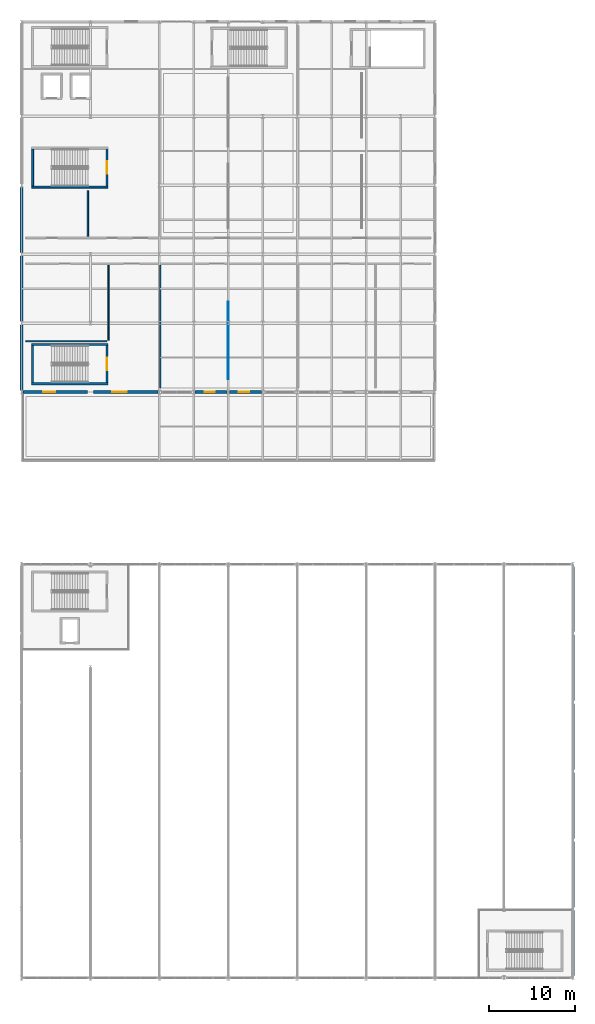
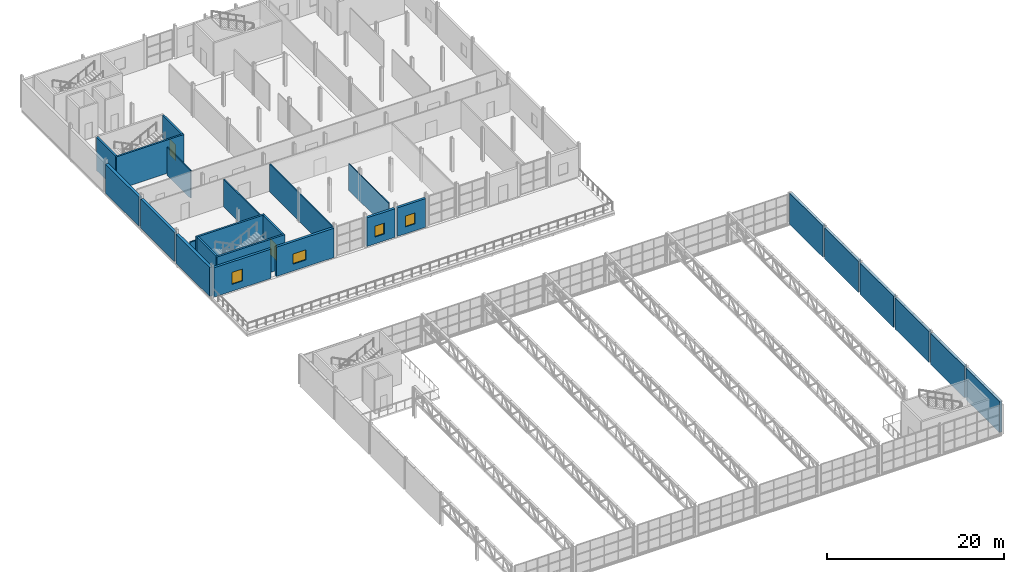
# One storey, part 59 of 67: 25 walls, 4 windows, 2 doors, 6 openings.
"""IFC4 building model written with IfcOpenShell, lengths in metres."""

from ifc_helpers import new_model, si_unit, derived_unit, direction, frame, frame_2d, origin, place, context, subcontext, project, spatial, rectangle, extrude, material, layer, layer_set, type_object, element, fill, save


model = new_model("IFC4")

# Units and contexts
model_context = context("Model", 3, precision=1e-05, world=origin(), true_north=direction((0.0, 1.0)))
body_context = subcontext(model_context, "Body", "Model", "MODEL_VIEW")
ifc_project = project(units=[si_unit("LENGTHUNIT", "METRE"), si_unit("AREAUNIT", "SQUARE_METRE"), si_unit("VOLUMEUNIT", "CUBIC_METRE"), si_unit("PLANEANGLEUNIT", "RADIAN"), si_unit("MASSUNIT", "GRAM", prefix="KILO"), derived_unit("THERMALTRANSMITTANCEUNIT", [(si_unit("POWERUNIT", "WATT"), 1), (si_unit("LENGTHUNIT", "METRE"), -2), (si_unit("THERMODYNAMICTEMPERATUREUNIT", "KELVIN"), -1)])], contexts=[model_context])

# Site, building, storey
site_placement = place(None, origin())
site = spatial("IfcSite", under=ifc_project, at=site_placement, CompositionType="ELEMENT")
building_placement = place(site_placement, origin())
building = spatial("IfcBuilding", under=site, at=building_placement, Name="Keldorne Ridge Multi-Sports Centre", CompositionType="ELEMENT")
storey_placement = place(building_placement, frame((0.0, 0.0, 14.0)))
storey = spatial("IfcBuildingStorey", under=building, at=storey_placement, Name="L03", CompositionType="ELEMENT", Elevation=14.0)

# Wall
ifc_material_1 = material(Name="Acoustic operable panel partition")
ifc_layer_1 = layer(ifc_material_1, 0.110107421875)
ifc_layer_set_1 = layer_set([ifc_layer_1])
wall_type_1 = type_object("IfcWallType", Name="WAL-MV-01", PredefinedType="MOVABLE", material=ifc_layer_set_1)
wall_1_placement = place(storey_placement, frame((128.0, 75.5, 0.0), z_axis=(0.0, 0.0, 1.0), x_axis=(0.0, 1.0, 0.0)))
element("IfcWall", 1, at=wall_1_placement, inside=storey, type_object=wall_type_1, Name="Acoustic operable studio partition MV-05", PredefinedType="MOVABLE", context=body_context, shape_type="SweptSolid", body=[
    extrude(rectangle(XDim=9.0, YDim=0.110107421875, at=frame_2d((4.5, 0.0))), origin(), (0.0, 0.0, 1.0), 3.699951171875),
])

# Wall, opening, window
ifc_material_2 = material(Name="Precast concrete C40/50", Category="concrete")
ifc_layer_2 = layer(ifc_material_2, 0.320068359375)
ifc_layer_set_2 = layer_set([ifc_layer_2], Name="Precast concrete C40/50")
wall_type_2 = type_object("IfcWallType", Name="WAL-PR-W1", PredefinedType="STANDARD", material=ifc_layer_set_2)
wall_2_placement = place(storey_placement, frame((104.152099609375, 74.0, 0.0), z_axis=(0.0, 0.0, 1.0), x_axis=(1.0, 0.0, 0.0)))
wall_2 = element("IfcWall", 2, at=wall_2_placement, inside=storey, type_object=wall_type_2, Name="East Wing L03 south facade 1", PredefinedType="STANDARD", context=body_context, shape_type="SweptSolid", body=[
    extrude(rectangle(XDim=7.5078125, YDim=0.320068359375, at=frame_2d((3.75390625, 0.0))), origin(), (0.0, 0.0, 1.0), 4.050048828125),
])
opening_1_placement = place(wall_2_placement, frame((2.387939453125, 0.0, 0.949951171875)))
opening_1 = element("IfcOpeningElement", 3, at=opening_1_placement, cuts=wall_2, Name="Opening W-09", PredefinedType="OPENING", context=body_context, shape_type="SweptSolid", body=[
    extrude(rectangle(XDim=1.35009765625, YDim=1.64990234375, at=frame_2d((0.675048828125, 0.824951171875))), frame((0.0, 0.169921875, 0.0), z_axis=(0.0, -1.0, 0.0), x_axis=(1.0, 0.0, 0.0)), (0.0, 0.0, 1.0), 0.340087890625),
])
ifc_material_3 = material(Name="Anodized aluminium", Category="aluminium")
window_type_1 = type_object("IfcWindowType", Name="WIN-W-09", PartitioningType="SINGLE_PANEL", PredefinedType="WINDOW", material=ifc_material_3)
window_1_placement = place(opening_1_placement, origin())
window_1 = element("IfcWindow", 4, at=window_1_placement, inside=storey, type_object=window_type_1, Name="East Wing L03 south window W-090", OverallHeight=1.64990234375, OverallWidth=1.35009765625, PartitioningType="SINGLE_PANEL", PredefinedType="WINDOW", context=body_context, shape_type="SweptSolid", body=[
    extrude(rectangle(XDim=1.35009765625, YDim=1.64990234375, at=frame_2d((0.675048828125, 0.824951171875))), frame((0.0, 0.030029296875, 0.0), z_axis=(0.0, -1.0, 0.0), x_axis=(1.0, 0.0, 0.0)), (0.0, 0.0, 1.0), 0.06005859375),
])
fill(opening_1, window_1)

wall_3_placement = place(storey_placement, frame((112.340087890625, 74.0, 0.0), z_axis=(0.0, 0.0, 1.0), x_axis=(1.0, 0.0, 0.0)))
wall_3 = element("IfcWall", 5, at=wall_3_placement, inside=storey, type_object=wall_type_2, Name="East Wing L03 south facade 2", PredefinedType="STANDARD", context=body_context, shape_type="SweptSolid", body=[
    extrude(rectangle(XDim=7.5078125, YDim=0.320068359375, at=frame_2d((3.75390625, 0.0))), origin(), (0.0, 0.0, 1.0), 4.050048828125),
])
opening_2_placement = place(wall_3_placement, frame((2.199951171875, 0.0, 0.949951171875)))
opening_2 = element("IfcOpeningElement", 6, at=opening_2_placement, cuts=wall_3, Name="Opening W-10", PredefinedType="OPENING", context=body_context, shape_type="SweptSolid", body=[
    extrude(rectangle(XDim=1.64990234375, YDim=1.39990234375, at=frame_2d((0.824951171875, 0.699951171875))), frame((0.0, 0.169921875, 0.0), z_axis=(0.0, -1.0, 0.0), x_axis=(1.0, 0.0, 0.0)), (0.0, 0.0, 1.0), 0.340087890625),
])
window_type_2 = type_object("IfcWindowType", Name="WIN-W-10", PartitioningType="SINGLE_PANEL", PredefinedType="WINDOW", material=ifc_material_3)
window_2_placement = place(opening_2_placement, origin())
window_2 = element("IfcWindow", 7, at=window_2_placement, inside=storey, type_object=window_type_2, Name="East Wing L03 south window W-091", OverallHeight=1.39990234375, OverallWidth=1.64990234375, PartitioningType="SINGLE_PANEL", PredefinedType="WINDOW", context=body_context, shape_type="SweptSolid", body=[
    extrude(rectangle(XDim=1.64990234375, YDim=1.39990234375, at=frame_2d((0.824951171875, 0.699951171875))), frame((0.0, 0.030029296875, 0.0), z_axis=(0.0, -1.0, 0.0), x_axis=(1.0, 0.0, 0.0)), (0.0, 0.0, 1.0), 0.06005859375),
])
fill(opening_2, window_2)

wall_4_placement = place(storey_placement, frame((124.152099609375, 74.0, 0.0), z_axis=(0.0, 0.0, 1.0), x_axis=(1.0, 0.0, 0.0)))
wall_4 = element("IfcWall", 8, at=wall_4_placement, inside=storey, type_object=wall_type_2, Name="East Wing L03 south facade 4", PredefinedType="STANDARD", context=body_context, shape_type="SweptSolid", body=[
    extrude(rectangle(XDim=3.69580078125, YDim=0.320068359375, at=frame_2d((1.847900390625, 0.0))), origin(), (0.0, 0.0, 1.0), 3.955078125),
])
opening_3_placement = place(wall_4_placement, frame((1.087890625, 0.0, 0.949951171875)))
opening_3 = element("IfcOpeningElement", 9, at=opening_3_placement, cuts=wall_4, Name="Opening W-03", PredefinedType="OPENING", context=body_context, shape_type="SweptSolid", body=[
    extrude(rectangle(XDim=1.199951171875, YDim=1.5, at=frame_2d((0.60009765625, 0.75))), frame((0.0, 0.169921875, 0.0), z_axis=(0.0, -1.0, 0.0), x_axis=(1.0, 0.0, 0.0)), (0.0, 0.0, 1.0), 0.340087890625),
])
window_type_3 = type_object("IfcWindowType", Name="WIN-W-03", PartitioningType="SINGLE_PANEL", PredefinedType="WINDOW", material=ifc_material_3)
window_3_placement = place(opening_3_placement, origin())
window_3 = element("IfcWindow", 10, at=window_3_placement, inside=storey, type_object=window_type_3, Name="East Wing L03 south window W-092", OverallHeight=1.5, OverallWidth=1.199951171875, PartitioningType="SINGLE_PANEL", PredefinedType="WINDOW", context=body_context, shape_type="SweptSolid", body=[
    extrude(rectangle(XDim=1.199951171875, YDim=1.5, at=frame_2d((0.60009765625, 0.75))), frame((0.0, 0.030029296875, 0.0), z_axis=(0.0, -1.0, 0.0), x_axis=(1.0, 0.0, 0.0)), (0.0, 0.0, 1.0), 0.06005859375),
])
fill(opening_3, window_3)

wall_5_placement = place(storey_placement, frame((128.152099609375, 74.0, 0.0), z_axis=(0.0, 0.0, 1.0), x_axis=(1.0, 0.0, 0.0)))
wall_5 = element("IfcWall", 11, at=wall_5_placement, inside=storey, type_object=wall_type_2, Name="East Wing L03 south facade 5", PredefinedType="STANDARD", context=body_context, shape_type="SweptSolid", body=[
    extrude(rectangle(XDim=3.69580078125, YDim=0.320068359375, at=frame_2d((1.847900390625, 0.0))), origin(), (0.0, 0.0, 1.0), 3.955078125),
])
opening_4_placement = place(wall_5_placement, frame((1.087890625, 0.0, 0.949951171875)))
opening_4 = element("IfcOpeningElement", 12, at=opening_4_placement, cuts=wall_5, Name="Opening W-03", PredefinedType="OPENING", context=body_context, shape_type="SweptSolid", body=[
    extrude(rectangle(XDim=1.199951171875, YDim=1.5, at=frame_2d((0.60009765625, 0.75))), frame((0.0, 0.169921875, 0.0), z_axis=(0.0, -1.0, 0.0), x_axis=(1.0, 0.0, 0.0)), (0.0, 0.0, 1.0), 0.340087890625),
])
window_4_placement = place(opening_4_placement, origin())
window_4 = element("IfcWindow", 13, at=window_4_placement, inside=storey, type_object=window_type_3, Name="East Wing L03 south window W-093", OverallHeight=1.5, OverallWidth=1.199951171875, PartitioningType="SINGLE_PANEL", PredefinedType="WINDOW", context=body_context, shape_type="SweptSolid", body=[
    extrude(rectangle(XDim=1.199951171875, YDim=1.5, at=frame_2d((0.60009765625, 0.75))), frame((0.0, 0.030029296875, 0.0), z_axis=(0.0, -1.0, 0.0), x_axis=(1.0, 0.0, 0.0)), (0.0, 0.0, 1.0), 0.06005859375),
])
fill(opening_4, window_4)

# Walls
ifc_layer_3 = layer(ifc_material_2, 0.360107421875)
ifc_layer_set_3 = layer_set([ifc_layer_3], Name="Precast concrete C40/50")
wall_type_3 = type_object("IfcWallType", Name="WAL-PR-W2", PredefinedType="STANDARD", material=ifc_layer_set_3)
wall_6_placement = place(storey_placement, frame((168.0, 6.251953125, 0.0), z_axis=(0.0, 0.0, 1.0), x_axis=(0.0, 1.0, 0.0)))
element("IfcWall", 14, at=wall_6_placement, inside=storey, type_object=wall_type_3, Name="Stacked Courts east acoustic wall L03.1", PredefinedType="STANDARD", context=body_context, shape_type="SweptSolid", body=[
    extrude(rectangle(XDim=7.571044921875, YDim=0.360107421875, at=frame_2d((3.78564453125, 0.0))), origin(), (0.0, 0.0, 1.0), 4.300048828125),
])
for number, where, z_axis, x_axis, name in (
    (15, (168.0, 14.177001953125, 0.0), (0.0, 0.0, 1.0), (0.0, 1.0, 0.0), "Stacked Courts east acoustic wall L03.2"),
    (16, (168.0, 22.177001953125, 0.0), (0.0, 0.0, 1.0), (0.0, 1.0, 0.0), "Stacked Courts east acoustic wall L03.3"),
    (17, (168.0, 30.177001953125, 0.0), (0.0, 0.0, 1.0), (0.0, 1.0, 0.0), "Stacked Courts east acoustic wall L03.4"),
    (18, (168.0, 38.177001953125, 0.0), (0.0, 0.0, 1.0), (0.0, 1.0, 0.0), "Stacked Courts east acoustic wall L03.5"),
):
    element("IfcWall", number, at=place(storey_placement, frame(where, z_axis=z_axis, x_axis=x_axis)), inside=storey, type_object=wall_type_3, Name=name, PredefinedType="STANDARD", context=body_context, shape_type="SweptSolid", body=[
        extrude(rectangle(XDim=7.64599609375, YDim=0.360107421875, at=frame_2d((3.822998046875, 0.0))), origin(), (0.0, 0.0, 1.0), 4.300048828125),
    ])
wall_7_placement = place(storey_placement, frame((168.0, 46.177001953125, 0.0), z_axis=(0.0, 0.0, 1.0), x_axis=(0.0, 1.0, 0.0)))
element("IfcWall", 19, at=wall_7_placement, inside=storey, type_object=wall_type_3, Name="Stacked Courts east acoustic wall L03.6", PredefinedType="STANDARD", context=body_context, shape_type="SweptSolid", body=[
    extrude(rectangle(XDim=7.571044921875, YDim=0.360107421875, at=frame_2d((3.78564453125, 0.0))), origin(), (0.0, 0.0, 1.0), 4.300048828125),
])
for number, where, z_axis, x_axis, name in (
    (20, (104.0, 81.802978515625, 0.0), (0.0, 0.0, 1.0), (0.0, -1.0, 0.0), "East Wing movement-joint wall L03.1"),
    (21, (104.0, 89.802978515625, 0.0), (0.0, 0.0, 1.0), (0.0, -1.0, 0.0), "East Wing movement-joint wall L03.2"),
    (22, (104.0, 97.802978515625, 0.0), (0.0, 0.0, 1.0), (0.0, -1.0, 0.0), "East Wing movement-joint wall L03.3"),
):
    element("IfcWall", number, at=place(storey_placement, frame(where, z_axis=z_axis, x_axis=x_axis)), inside=storey, type_object=wall_type_3, Name=name, PredefinedType="STANDARD", context=body_context, shape_type="SweptSolid", body=[
        extrude(rectangle(XDim=7.60595703125, YDim=0.360107421875, at=frame_2d((3.802978515625, 0.0))), origin(), (0.0, 0.0, 1.0), 4.0048828125),
    ])
ifc_material_4 = material(Name="Fire-rated twin stud plasterboard")
ifc_layer_4 = layer(ifc_material_4, 0.14990234375)
ifc_layer_set_4 = layer_set([ifc_layer_4])
wall_type_4 = type_object("IfcWallType", Name="WAL-PT-02", PredefinedType="PARTITIONING", material=ifc_layer_set_4)
wall_8_placement = place(storey_placement, frame((104.5, 79.89990234375, 0.0), z_axis=(0.0, 0.0, 1.0), x_axis=(1.0, 0.0, 0.0)))
element("IfcWall", 23, at=wall_8_placement, inside=storey, type_object=wall_type_4, Name="Studio changing south wall IW-L03-065", PredefinedType="PARTITIONING", context=body_context, shape_type="SweptSolid", body=[
    extrude(rectangle(XDim=9.39990234375, YDim=0.14990234375, at=frame_2d((4.699951171875, 0.0))), origin(), (0.0, 0.0, 1.0), 3.85009765625),
])
wall_9_placement = place(storey_placement, frame((114.10009765625, 80.0, 0.0), z_axis=(0.0, 0.0, 1.0), x_axis=(0.0, 1.0, 0.0)))
element("IfcWall", 24, at=wall_9_placement, inside=storey, type_object=wall_type_4, Name="Third floor studio divider IW-L03-066", PredefinedType="PARTITIONING", context=body_context, shape_type="SweptSolid", body=[
    extrude(rectangle(XDim=8.699951171875, YDim=0.14990234375, at=frame_2d((4.35009765625, 0.0))), origin(), (0.0, 0.0, 1.0), 3.85009765625),
])
wall_10_placement = place(storey_placement, frame((120.10009765625, 74.5, 0.0), z_axis=(0.0, 0.0, 1.0), x_axis=(0.0, 1.0, 0.0)))
element("IfcWall", 25, at=wall_10_placement, inside=storey, type_object=wall_type_4, Name="Third floor studio divider IW-L03-067", PredefinedType="PARTITIONING", context=body_context, shape_type="SweptSolid", body=[
    extrude(rectangle(XDim=14.199951171875, YDim=0.14990234375, at=frame_2d((7.10009765625, 0.0))), origin(), (0.0, 0.0, 1.0), 3.85009765625),
])
wall_11_placement = place(storey_placement, frame((111.699951171875, 92.10009765625, 0.0), z_axis=(0.0, 0.0, 1.0), x_axis=(0.0, 1.0, 0.0)))
element("IfcWall", 26, at=wall_11_placement, inside=storey, type_object=wall_type_4, Name="Third floor studio divider IW-L03-070", PredefinedType="PARTITIONING", context=body_context, shape_type="SweptSolid", body=[
    extrude(rectangle(XDim=5.2998046875, YDim=0.14990234375, at=frame_2d((2.64990234375, 0.0))), origin(), (0.0, 0.0, 1.0), 3.85009765625),
])

# Wall, opening, door
ifc_material_5 = material(Name="Concrete C40/50", Category="concrete")
ifc_layer_5 = layer(ifc_material_5, 0.25)
ifc_layer_set_5 = layer_set([ifc_layer_5], Name="Concrete C40/50")
wall_type_5 = type_object("IfcWallType", Name="WAL-SW01", PredefinedType="SHEAR", material=ifc_layer_set_5)
wall_12_placement = place(storey_placement, frame((113.925048828125, 75.10009765625, 0.0), z_axis=(0.0, 0.0, 1.0), x_axis=(0.0, 1.0, 0.0)))
wall_12 = element("IfcWall", 27, at=wall_12_placement, inside=storey, type_object=wall_type_5, Name="Stair ST-02 shaft wall L03 NEAR", PredefinedType="SHEAR", context=body_context, shape_type="SweptSolid", body=[
    extrude(rectangle(XDim=4.2998046875, YDim=0.25, at=frame_2d((2.14990234375, 0.0))), origin(), (0.0, 0.0, 1.0), 4.60009765625),
])
opening_5_placement = place(wall_12_placement, frame((1.425048828125, 0.0, 0.0)))
opening_5 = element("IfcOpeningElement", 28, at=opening_5_placement, cuts=wall_12, Name="Opening D-05", PredefinedType="OPENING", context=body_context, shape_type="SweptSolid", body=[
    extrude(rectangle(XDim=1.449951171875, YDim=2.199951171875, at=frame_2d((0.72509765625, 1.10009765625))), frame((0.0, 0.135009765625, 0.0), z_axis=(0.0, -1.0, 0.0), x_axis=(1.0, 0.0, 0.0)), (0.0, 0.0, 1.0), 0.27001953125),
])
ifc_material_6 = material(Name="Steel fire-resisting pair", Category="steel")
door_type = type_object("IfcDoorType", Name="DR-D-05", OperationType="NOTDEFINED", PredefinedType="DOOR", material=ifc_material_6)
door_1_placement = place(opening_5_placement, origin())
door_1 = element("IfcDoor", 29, at=door_1_placement, inside=storey, type_object=door_type, Name="Stair ST-02 L03 fire door D-012", OperationType="DOUBLE_DOOR_SINGLE_SWING", OverallHeight=2.199951171875, OverallWidth=1.449951171875, PredefinedType="DOOR", context=body_context, shape_type="SweptSolid", body=[
    extrude(rectangle(XDim=1.449951171875, YDim=2.199951171875, at=frame_2d((0.72509765625, 1.10009765625))), frame((0.0, 0.02490234375, 0.0), z_axis=(0.0, -1.0, 0.0), x_axis=(1.0, 0.0, 0.0)), (0.0, 0.0, 1.0), 0.050048828125),
])
fill(opening_5, door_1)

# Walls
wall_13_placement = place(storey_placement, frame((105.27490234375, 79.39990234375, 0.0), z_axis=(0.0, 0.0, 1.0), x_axis=(0.0, -1.0, 0.0)))
element("IfcWall", 30, at=wall_13_placement, inside=storey, type_object=wall_type_5, Name="Stair ST-02 shaft wall L03 FAR", PredefinedType="SHEAR", context=body_context, shape_type="SweptSolid", body=[
    extrude(rectangle(XDim=4.2998046875, YDim=0.25, at=frame_2d((2.14990234375, 0.0))), origin(), (0.0, 0.0, 1.0), 4.60009765625),
])
for number, where, z_axis, x_axis, name in (
    (31, (105.14990234375, 74.97509765625, 0.0), (0.0, 0.0, 1.0), (1.0, 0.0, 0.0), "Stair ST-02 shaft wall L03 SOUTH"),
    (32, (114.050048828125, 79.52490234375, 0.0), (0.0, 0.0, 1.0), (-1.0, 0.0, 0.0), "Stair ST-02 shaft wall L03 NORTH"),
):
    element("IfcWall", number, at=place(storey_placement, frame(where, z_axis=z_axis, x_axis=x_axis)), inside=storey, type_object=wall_type_5, Name=name, PredefinedType="SHEAR", context=body_context, shape_type="SweptSolid", body=[
        extrude(rectangle(XDim=8.900146484375, YDim=0.25, at=frame_2d((4.4501953125, 0.0))), origin(), (0.0, 0.0, 1.0), 4.60009765625),
    ])

# Wall, opening, door
ifc_layer_6 = layer(ifc_material_5, 0.22998046875)
ifc_layer_set_6 = layer_set([ifc_layer_6], Name="Concrete C40/50")
wall_type_6 = type_object("IfcWallType", Name="WAL-SW02", PredefinedType="SHEAR", material=ifc_layer_set_6)
wall_14_placement = place(storey_placement, frame((113.9150390625, 97.89990234375, 0.0), z_axis=(0.0, 0.0, 1.0), x_axis=(0.0, 1.0, 0.0)))
wall_14 = element("IfcWall", 33, at=wall_14_placement, inside=storey, type_object=wall_type_6, Name="Stair ST-11 shaft wall L03 NEAR", PredefinedType="SHEAR", context=body_context, shape_type="SweptSolid", body=[
    extrude(rectangle(XDim=4.300048828125, YDim=0.22998046875, at=frame_2d((2.14990234375, 0.0))), origin(), (0.0, 0.0, 1.0), 4.60009765625),
])
opening_6_placement = place(wall_14_placement, frame((1.425048828125, 0.0, 0.0)))
opening_6 = element("IfcOpeningElement", 34, at=opening_6_placement, cuts=wall_14, Name="Opening D-05", PredefinedType="OPENING", context=body_context, shape_type="SweptSolid", body=[
    extrude(rectangle(XDim=1.449951171875, YDim=2.199951171875, at=frame_2d((0.72509765625, 1.10009765625))), frame((0.0, 0.125, 0.0), z_axis=(0.0, -1.0, 0.0), x_axis=(1.0, 0.0, 0.0)), (0.0, 0.0, 1.0), 0.25),
])
door_2_placement = place(opening_6_placement, origin())
door_2 = element("IfcDoor", 35, at=door_2_placement, inside=storey, type_object=door_type, Name="Stair ST-11 L03 fire door D-049", OperationType="DOUBLE_DOOR_SINGLE_SWING", OverallHeight=2.199951171875, OverallWidth=1.449951171875, PredefinedType="DOOR", context=body_context, shape_type="SweptSolid", body=[
    extrude(rectangle(XDim=1.449951171875, YDim=2.199951171875, at=frame_2d((0.72509765625, 1.10009765625))), frame((0.0, 0.02490234375, 0.0), z_axis=(0.0, -1.0, 0.0), x_axis=(1.0, 0.0, 0.0)), (0.0, 0.0, 1.0), 0.050048828125),
])
fill(opening_6, door_2)

# Walls
wall_15_placement = place(storey_placement, frame((105.284912109375, 102.199951171875, 0.0), z_axis=(0.0, 0.0, 1.0), x_axis=(0.0, -1.0, 0.0)))
element("IfcWall", 36, at=wall_15_placement, inside=storey, type_object=wall_type_6, Name="Stair ST-11 shaft wall L03 FAR", PredefinedType="SHEAR", context=body_context, shape_type="SweptSolid", body=[
    extrude(rectangle(XDim=4.300048828125, YDim=0.22998046875, at=frame_2d((2.14990234375, 0.0))), origin(), (0.0, 0.0, 1.0), 4.60009765625),
])
wall_16_placement = place(storey_placement, frame((105.169921875, 97.784912109375, 0.0), z_axis=(0.0, 0.0, 1.0), x_axis=(1.0, 0.0, 0.0)))
element("IfcWall", 37, at=wall_16_placement, inside=storey, type_object=wall_type_6, Name="Stair ST-11 shaft wall L03 SOUTH", PredefinedType="SHEAR", context=body_context, shape_type="SweptSolid", body=[
    extrude(rectangle(XDim=8.860107421875, YDim=0.22998046875, at=frame_2d((4.43017578125, 0.0))), origin(), (0.0, 0.0, 1.0), 4.60009765625),
])

save(model, "model.ifc")
